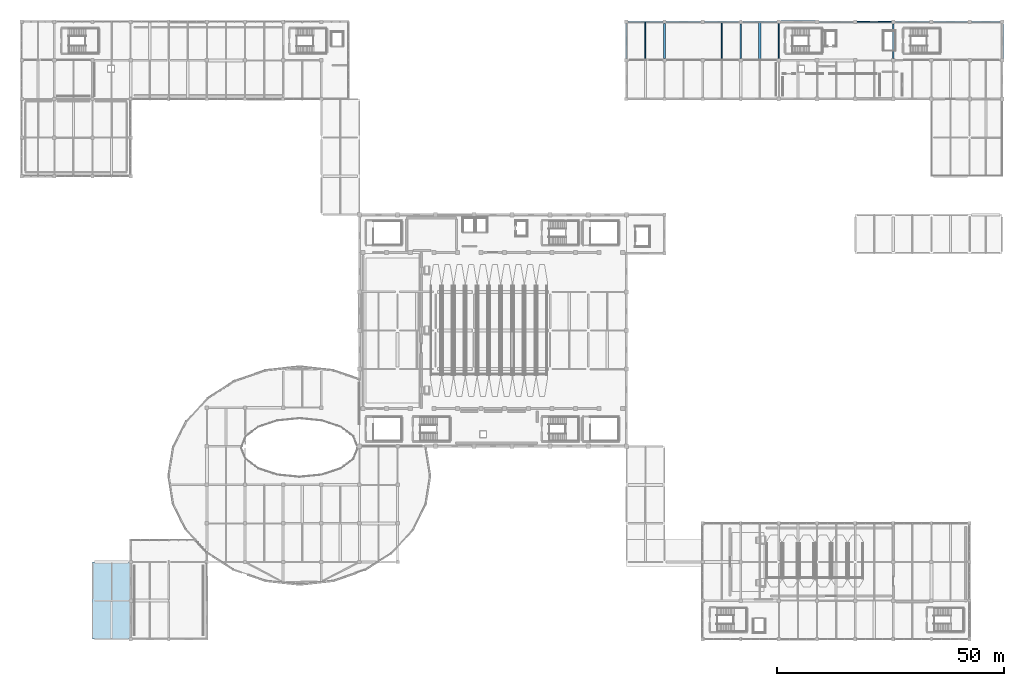
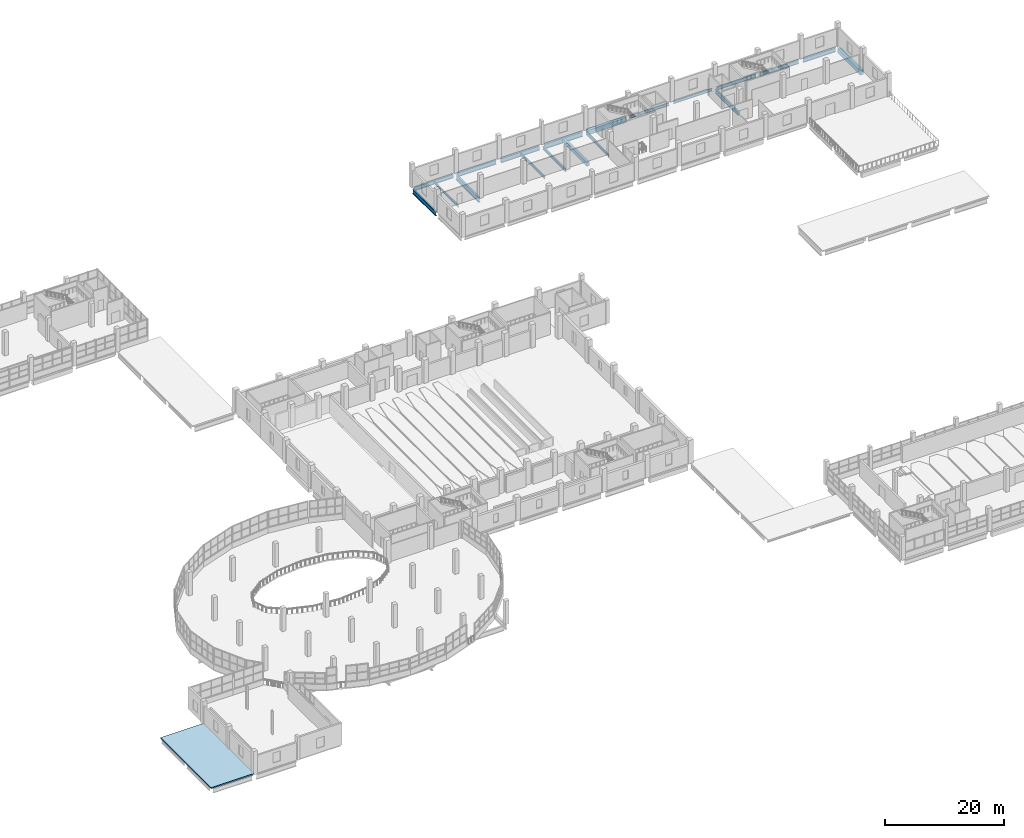
# One storey, part 83 of 117: 19 beams, 1 slab.
"""IFC4 building model written with IfcOpenShell, lengths in metres."""

from ifc_helpers import new_model, si_unit, direction, frame, origin, origin_2d, place, context, subcontext, project, spatial, polyline, rectangle, i_section, outline, extrude, material, layer, layer_set, material_profile, profile_set, type_object, element, save


model = new_model("IFC4")

# Units and contexts
model_context = context("Model", 3, precision=1e-05, world=origin(), true_north=direction((0.0, 1.0)))
body_context = subcontext(model_context, "Body", "Model", "MODEL_VIEW")
ifc_project = project(units=[si_unit("LENGTHUNIT", "METRE"), si_unit("AREAUNIT", "SQUARE_METRE"), si_unit("VOLUMEUNIT", "CUBIC_METRE"), si_unit("PLANEANGLEUNIT", "RADIAN"), si_unit("MASSUNIT", "GRAM", prefix="KILO")], contexts=[model_context])

# Site, building, storey
site_placement = place(None, origin())
site = spatial("IfcSite", under=ifc_project, at=site_placement, CompositionType="ELEMENT")
building_placement = place(site_placement, origin())
building = spatial("IfcBuilding", under=site, at=building_placement, Name="Solvento Point Concert Hall", CompositionType="ELEMENT")
storey_placement = place(building_placement, frame((0.0, 0.0, 5.39990234375)))
storey = spatial("IfcBuildingStorey", under=building, at=storey_placement, Name="L01", CompositionType="ELEMENT", Elevation=5.39990234375)

# Beams
ifc_material_1 = material(Name="Concrete C35/45", Category="concrete")
ifc_material_profile_1 = material_profile(ifc_material_1, rectangle(XDim=0.5, YDim=0.800048828125, at=origin_2d()), Name="RC-BM-500X800")
ifc_profile_set_1 = profile_set([ifc_material_profile_1], Name="Concrete C35/45")
beam_type_1 = type_object("IfcBeamType", Name="Beam_RC_500x800", PredefinedType="BEAM", material=ifc_profile_set_1)
beam_1_placement = place(storey_placement, frame((162.60009765625, 127.638916015625, -0.683837890625), z_axis=(0.0, 1.0, 0.0), x_axis=(-1.0, 0.0, 0.0)))
element("IfcBeam", 1, at=beam_1_placement, inside=storey, type_object=beam_type_1, Name="Secondary floor joist B-63 L01", PredefinedType="BEAM", context=body_context, shape_type="SweptSolid", body=[
    extrude(rectangle(XDim=0.5, YDim=0.800048828125, at=origin_2d()), origin(), (0.0, 0.0, 1.0), 8.195556640625),
])
ifc_material_2 = material(Name="Structural Steel ASTM A992 Grade 50", Category="steel")
ifc_material_profile_2 = material_profile(ifc_material_2, i_section(OverallWidth=0.20947265625, OverallDepth=0.532958984375, WebThickness=0.01025390625, FlangeThickness=0.015625, at=origin_2d()), Name="W21X62")
ifc_profile_set_2 = profile_set([ifc_material_profile_2], Name="Structural Steel ASTM A992 Grade 50")
beam_type_2 = type_object("IfcBeamType", Name="Beam_W21X62", PredefinedType="BEAM", material=ifc_profile_set_2)
beam_2_placement = place(storey_placement, frame((154.199951171875, 127.631103515625, -0.55029296875), z_axis=(0.0, 1.0, 0.0), x_axis=(-1.0, 0.0, 0.0)))
element("IfcBeam", 2, at=beam_2_placement, inside=storey, type_object=beam_type_2, Name="Secondary floor joist B-25 L01", PredefinedType="BEAM", context=body_context, shape_type="SweptSolid", body=[
    extrude(i_section(OverallWidth=0.20947265625, OverallDepth=0.532958984375, WebThickness=0.01025390625, FlangeThickness=0.015625, at=origin_2d()), origin(), (0.0, 0.0, 1.0), 8.22998046875),
])
ifc_material_3 = material(Name="Structural Steel ASTM A992 Grade 50", Category="steel")
ifc_material_profile_3 = material_profile(ifc_material_3, i_section(OverallWidth=0.214111328125, OverallDepth=0.549072265625, WebThickness=0.0146484375, FlangeThickness=0.023681640625, at=origin_2d()), Name="W21X93")
ifc_profile_set_3 = profile_set([ifc_material_profile_3], Name="Structural Steel ASTM A992 Grade 50")
beam_type_3 = type_object("IfcBeamType", Name="Beam_W21X93", PredefinedType="BEAM", material=ifc_profile_set_3)
beam_3_placement = place(storey_placement, frame((184.0439453125, 136.0, -0.558349609375), z_axis=(1.0, 0.0, 0.0), x_axis=(0.0, 1.0, 0.0)))
element("IfcBeam", 3, at=beam_3_placement, inside=storey, type_object=beam_type_3, Name="Primary girder B-48 L01", PredefinedType="BEAM", context=body_context, shape_type="SweptSolid", body=[
    extrude(i_section(OverallWidth=0.214111328125, OverallDepth=0.549072265625, WebThickness=0.0146484375, FlangeThickness=0.023681640625, at=origin_2d()), origin(), (0.0, 0.0, 1.0), 7.511962890625),
])
beam_4_placement = place(storey_placement, frame((166.800048828125, 127.868896484375, -0.558349609375), z_axis=(0.0, 1.0, 0.0), x_axis=(-1.0, 0.0, 0.0)))
element("IfcBeam", 4, at=beam_4_placement, inside=storey, type_object=beam_type_3, Name="Primary girder B-48 L01", PredefinedType="BEAM", context=body_context, shape_type="SweptSolid", body=[
    extrude(i_section(OverallWidth=0.214111328125, OverallDepth=0.549072265625, WebThickness=0.0146484375, FlangeThickness=0.023681640625, at=origin_2d()), origin(), (0.0, 0.0, 1.0), 7.68701171875),
])
ifc_material_4 = material(Name="Structural Steel ASTM A992 Grade 50", Category="steel")
ifc_material_profile_4 = material_profile(ifc_material_4, i_section(OverallWidth=0.228515625, OverallDepth=0.60791015625, WebThickness=0.01123046875, FlangeThickness=0.017333984375, at=origin_2d()), Name="W24X76")
ifc_profile_set_4 = profile_set([ifc_material_profile_4], Name="Structural Steel ASTM A992 Grade 50")
beam_type_4 = type_object("IfcBeamType", Name="Beam_W24X76", PredefinedType="BEAM", material=ifc_profile_set_4)
beam_5_placement = place(storey_placement, frame((175.64404296875, 136.0, -0.587890625), z_axis=(1.0, 0.0, 0.0), x_axis=(0.0, 1.0, 0.0)))
element("IfcBeam", 5, at=beam_5_placement, inside=storey, type_object=beam_type_4, Name="Primary girder B-42 L01", PredefinedType="BEAM", context=body_context, shape_type="SweptSolid", body=[
    extrude(i_section(OverallWidth=0.228515625, OverallDepth=0.60791015625, WebThickness=0.01123046875, FlangeThickness=0.017333984375, at=origin_2d()), origin(), (0.0, 0.0, 1.0), 7.511962890625),
])
beam_6_placement = place(storey_placement, frame((158.39990234375, 127.868896484375, -0.587890625), z_axis=(0.0, 1.0, 0.0), x_axis=(-1.0, 0.0, 0.0)))
element("IfcBeam", 6, at=beam_6_placement, inside=storey, type_object=beam_type_4, Name="Primary girder B-42 L01", PredefinedType="BEAM", context=body_context, shape_type="SweptSolid", body=[
    extrude(i_section(OverallWidth=0.228515625, OverallDepth=0.60791015625, WebThickness=0.01123046875, FlangeThickness=0.017333984375, at=origin_2d()), origin(), (0.0, 0.0, 1.0), 7.68701171875),
])
ifc_material_5 = material(Name="Concrete C35/45", Category="concrete")
ifc_material_profile_5 = material_profile(ifc_material_5, rectangle(XDim=0.6201171875, YDim=0.9599609375, at=origin_2d()), Name="RC-BM-620X960")
ifc_profile_set_5 = profile_set([ifc_material_profile_5], Name="Concrete C35/45")
beam_type_5 = type_object("IfcBeamType", Name="Girder_RC_620x960", PredefinedType="USERDEFINED", material=ifc_profile_set_5)
beam_7_placement = place(storey_placement, frame((167.243896484375, 136.0, -0.763916015625), z_axis=(1.0, 0.0, 0.0), x_axis=(0.0, 1.0, 0.0)))
element("IfcBeam", 7, at=beam_7_placement, inside=storey, type_object=beam_type_5, Name="Primary girder B-69 L01", ObjectType="GIRDER", PredefinedType="USERDEFINED", context=body_context, shape_type="SweptSolid", body=[
    extrude(rectangle(XDim=0.6201171875, YDim=0.9599609375, at=origin_2d()), origin(), (0.0, 0.0, 1.0), 7.51220703125),
])
beam_8_placement = place(storey_placement, frame((216.0, 127.944091796875, -0.763916015625), z_axis=(0.0, 1.0, 0.0), x_axis=(-1.0, 0.0, 0.0)))
element("IfcBeam", 8, at=beam_8_placement, inside=storey, type_object=beam_type_5, Name="Primary girder B-69 L01", ObjectType="GIRDER", PredefinedType="USERDEFINED", context=body_context, shape_type="SweptSolid", body=[
    extrude(rectangle(XDim=0.6201171875, YDim=0.9599609375, at=origin_2d()), origin(), (0.0, 0.0, 1.0), 7.61181640625),
])
ifc_material_6 = material(Name="Structural Steel ASTM A992 Grade 50", Category="steel")
ifc_material_profile_6 = material_profile(ifc_material_6, i_section(OverallWidth=0.256103515625, OverallDepth=0.693115234375, WebThickness=0.014404296875, FlangeThickness=0.023681640625, at=origin_2d()), Name="W27X114")
ifc_profile_set_6 = profile_set([ifc_material_profile_6], Name="Structural Steel ASTM A992 Grade 50")
beam_type_6 = type_object("IfcBeamType", Name="Girder_W27X114", PredefinedType="USERDEFINED", material=ifc_profile_set_6)
beam_9_placement = place(storey_placement, frame((192.444091796875, 136.0, -0.63037109375), z_axis=(1.0, 0.0, 0.0), x_axis=(0.0, 1.0, 0.0)))
element("IfcBeam", 9, at=beam_9_placement, inside=storey, type_object=beam_type_6, Name="Primary girder B-23 L01", ObjectType="GIRDER", PredefinedType="USERDEFINED", context=body_context, shape_type="SweptSolid", body=[
    extrude(i_section(OverallWidth=0.256103515625, OverallDepth=0.693115234375, WebThickness=0.014404296875, FlangeThickness=0.023681640625, at=origin_2d()), origin(), (0.0, 0.0, 1.0), 7.511962890625),
])
ifc_material_7 = material(Name="Structural Steel ASTM A992 Grade 50", Category="steel")
ifc_material_profile_7 = material_profile(ifc_material_7, i_section(OverallWidth=0.26806640625, OverallDepth=0.77001953125, WebThickness=0.015625, FlangeThickness=0.025390625, at=origin_2d()), Name="W30X132")
ifc_profile_set_7 = profile_set([ifc_material_profile_7], Name="Structural Steel ASTM A992 Grade 50")
beam_type_7 = type_object("IfcBeamType", Name="Girder_W30X132", PredefinedType="USERDEFINED", material=ifc_profile_set_7)
beam_10_placement = place(storey_placement, frame((133.569091796875, 136.0, -0.6689453125), z_axis=(1.0, 0.0, 0.0), x_axis=(0.0, 1.0, 0.0)))
element("IfcBeam", 10, at=beam_10_placement, inside=storey, type_object=beam_type_7, Name="Primary girder B-68 L01", ObjectType="GIRDER", PredefinedType="USERDEFINED", context=body_context, shape_type="SweptSolid", body=[
    extrude(i_section(OverallWidth=0.26806640625, OverallDepth=0.77001953125, WebThickness=0.015625, FlangeThickness=0.025390625, at=origin_2d()), origin(), (0.0, 0.0, 1.0), 7.661865234375),
])
beam_11_placement = place(storey_placement, frame((200.843994140625, 136.0, -0.6689453125), z_axis=(1.0, 0.0, 0.0), x_axis=(0.0, 1.0, 0.0)))
element("IfcBeam", 11, at=beam_11_placement, inside=storey, type_object=beam_type_7, Name="Primary girder B-68 L01", ObjectType="GIRDER", PredefinedType="USERDEFINED", context=body_context, shape_type="SweptSolid", body=[
    extrude(i_section(OverallWidth=0.26806640625, OverallDepth=0.77001953125, WebThickness=0.015625, FlangeThickness=0.025390625, at=origin_2d()), origin(), (0.0, 0.0, 1.0), 7.511962890625),
])
ifc_material_8 = material(Name="Structural Steel ASTM A992 Grade 50", Category="steel")
ifc_material_profile_8 = material_profile(ifc_material_8, i_section(OverallWidth=0.2919921875, OverallDepth=0.85888671875, WebThickness=0.01708984375, FlangeThickness=0.031005859375, at=origin_2d()), Name="W33X169")
ifc_profile_set_8 = profile_set([ifc_material_profile_8], Name="Structural Steel ASTM A992 Grade 50")
beam_type_8 = type_object("IfcBeamType", Name="Girder_W33X169", PredefinedType="USERDEFINED", material=ifc_profile_set_8)
beam_12_placement = place(storey_placement, frame((141.968994140625, 136.0, -0.71337890625), z_axis=(1.0, 0.0, 0.0), x_axis=(0.0, 1.0, 0.0)))
element("IfcBeam", 12, at=beam_12_placement, inside=storey, type_object=beam_type_8, Name="Primary girder B-33 L01", ObjectType="GIRDER", PredefinedType="USERDEFINED", context=body_context, shape_type="SweptSolid", body=[
    extrude(i_section(OverallWidth=0.2919921875, OverallDepth=0.85888671875, WebThickness=0.01708984375, FlangeThickness=0.031005859375, at=origin_2d()), origin(), (0.0, 0.0, 1.0), 7.5869140625),
])
beam_13_placement = place(storey_placement, frame((209.243896484375, 136.0, -0.71337890625), z_axis=(1.0, 0.0, 0.0), x_axis=(0.0, 1.0, 0.0)))
element("IfcBeam", 13, at=beam_13_placement, inside=storey, type_object=beam_type_8, Name="Primary girder B-33 L01", ObjectType="GIRDER", PredefinedType="USERDEFINED", context=body_context, shape_type="SweptSolid", body=[
    extrude(i_section(OverallWidth=0.2919921875, OverallDepth=0.85888671875, WebThickness=0.01708984375, FlangeThickness=0.031005859375, at=origin_2d()), origin(), (0.0, 0.0, 1.0), 6.31201171875),
])
beam_14_placement = place(storey_placement, frame((192.0, 127.868896484375, -0.71337890625), z_axis=(0.0, 1.0, 0.0), x_axis=(-1.0, 0.0, 0.0)))
element("IfcBeam", 14, at=beam_14_placement, inside=storey, type_object=beam_type_8, Name="Primary girder B-33 L01", ObjectType="GIRDER", PredefinedType="USERDEFINED", context=body_context, shape_type="SweptSolid", body=[
    extrude(i_section(OverallWidth=0.2919921875, OverallDepth=0.85888671875, WebThickness=0.01708984375, FlangeThickness=0.031005859375, at=origin_2d()), origin(), (0.0, 0.0, 1.0), 7.68701171875),
])
ifc_material_9 = material(Name="Structural Steel ASTM A992 Grade 50", Category="steel")
ifc_material_profile_9 = material_profile(ifc_material_9, i_section(OverallWidth=0.3076171875, OverallDepth=0.927001953125, WebThickness=0.019287109375, FlangeThickness=0.031982421875, at=origin_2d()), Name="W36X194")
ifc_profile_set_9 = profile_set([ifc_material_profile_9], Name="Structural Steel ASTM A992 Grade 50")
beam_type_9 = type_object("IfcBeamType", Name="Girder_W36X194", PredefinedType="USERDEFINED", material=ifc_profile_set_9)
beam_15_placement = place(storey_placement, frame((150.444091796875, 136.0, -0.747314453125), z_axis=(1.0, 0.0, 0.0), x_axis=(0.0, 1.0, 0.0)))
element("IfcBeam", 15, at=beam_15_placement, inside=storey, type_object=beam_type_9, Name="Primary girder B-61 L01", ObjectType="GIRDER", PredefinedType="USERDEFINED", context=body_context, shape_type="SweptSolid", body=[
    extrude(i_section(OverallWidth=0.3076171875, OverallDepth=0.927001953125, WebThickness=0.019287109375, FlangeThickness=0.031982421875, at=origin_2d()), origin(), (0.0, 0.0, 1.0), 7.511962890625),
])
beam_16_placement = place(storey_placement, frame((133.199951171875, 127.868896484375, -0.747314453125), z_axis=(0.0, 1.0, 0.0), x_axis=(-1.0, 0.0, 0.0)))
element("IfcBeam", 16, at=beam_16_placement, inside=storey, type_object=beam_type_9, Name="Primary girder B-61 L01", ObjectType="GIRDER", PredefinedType="USERDEFINED", context=body_context, shape_type="SweptSolid", body=[
    extrude(i_section(OverallWidth=0.3076171875, OverallDepth=0.927001953125, WebThickness=0.019287109375, FlangeThickness=0.031982421875, at=origin_2d()), origin(), (0.0, 0.0, 1.0), 7.76220703125),
])
ifc_material_10 = material(Name="Structural Steel ASTM A992 Grade 50", Category="steel")
ifc_material_profile_10 = material_profile(ifc_material_10, i_section(OverallWidth=0.361083984375, OverallDepth=1.02587890625, WebThickness=0.01904296875, FlangeThickness=0.0361328125, at=origin_2d()), Name="W40X249")
ifc_profile_set_10 = profile_set([ifc_material_profile_10], Name="Structural Steel ASTM A992 Grade 50")
beam_type_10 = type_object("IfcBeamType", Name="Girder_W40X249", PredefinedType="USERDEFINED", material=ifc_profile_set_10)
beam_17_placement = place(storey_placement, frame((158.843994140625, 136.0, -0.796875), z_axis=(1.0, 0.0, 0.0), x_axis=(0.0, 1.0, 0.0)))
element("IfcBeam", 17, at=beam_17_placement, inside=storey, type_object=beam_type_10, Name="Primary girder B-29 L01", ObjectType="GIRDER", PredefinedType="USERDEFINED", context=body_context, shape_type="SweptSolid", body=[
    extrude(i_section(OverallWidth=0.361083984375, OverallDepth=1.02587890625, WebThickness=0.01904296875, FlangeThickness=0.0361328125, at=origin_2d()), origin(), (0.0, 0.0, 1.0), 7.511962890625),
])
beam_18_placement = place(storey_placement, frame((141.60009765625, 127.868896484375, -0.796875), z_axis=(0.0, 1.0, 0.0), x_axis=(-1.0, 0.0, 0.0)))
element("IfcBeam", 18, at=beam_18_placement, inside=storey, type_object=beam_type_10, Name="Primary girder B-29 L01", ObjectType="GIRDER", PredefinedType="USERDEFINED", context=body_context, shape_type="SweptSolid", body=[
    extrude(i_section(OverallWidth=0.361083984375, OverallDepth=1.02587890625, WebThickness=0.01904296875, FlangeThickness=0.0361328125, at=origin_2d()), origin(), (0.0, 0.0, 1.0), 7.76220703125),
])
ifc_material_11 = material(Name="Structural Steel ASTM A992 Grade 50", Category="steel")
ifc_material_profile_11 = material_profile(ifc_material_11, i_section(OverallWidth=0.1904296875, OverallDepth=0.45703125, WebThickness=0.009033203125, FlangeThickness=0.014404296875, at=origin_2d()), Name="W18X50")
ifc_profile_set_11 = profile_set([ifc_material_profile_11], Name="Structural Steel ASTM A992 Grade 50")
beam_type_11 = type_object("IfcBeamType", Name="Joist_W18X50", PredefinedType="JOIST", material=ifc_profile_set_11)
beam_19_placement = place(storey_placement, frame((137.39990234375, 127.613037109375, -0.512451171875), z_axis=(0.0, 1.0, 0.0), x_axis=(-1.0, 0.0, 0.0)))
element("IfcBeam", 19, at=beam_19_placement, inside=storey, type_object=beam_type_11, Name="Secondary floor joist B-66 L01", PredefinedType="JOIST", context=body_context, shape_type="SweptSolid", body=[
    extrude(i_section(OverallWidth=0.1904296875, OverallDepth=0.45703125, WebThickness=0.009033203125, FlangeThickness=0.014404296875, at=origin_2d()), origin(), (0.0, 0.0, 1.0), 8.26806640625),
])

# Slab
ifc_material_12 = material(Name="Concrete C40/50", Category="concrete")
ifc_layer = layer(ifc_material_12, 0.260009765625)
ifc_layer_set = layer_set([ifc_layer], Name="Concrete C40/50")
slab_type = type_object("IfcSlabType", Name="RoofFlat_260", PredefinedType="ROOF", material=ifc_layer_set)
slab_placement = place(storey_placement, frame((0.0, 0.0, -0.260009765625)))
element("IfcSlab", 20, at=slab_placement, inside=storey, type_object=slab_type, Name="Structural slab RF-DK1 RF-L01-V2C", PredefinedType="ROOF", context=body_context, shape_type="SweptSolid", body=[
    extrude(outline(polyline([(15.60009765625, 0.0), (15.60009765625, 17.0), (24.0, 17.0), (24.0, 0.0), (15.60009765625, 0.0)])), origin(), (0.0, 0.0, 1.0), 0.260009765625),
])

save(model, "model.ifc")
